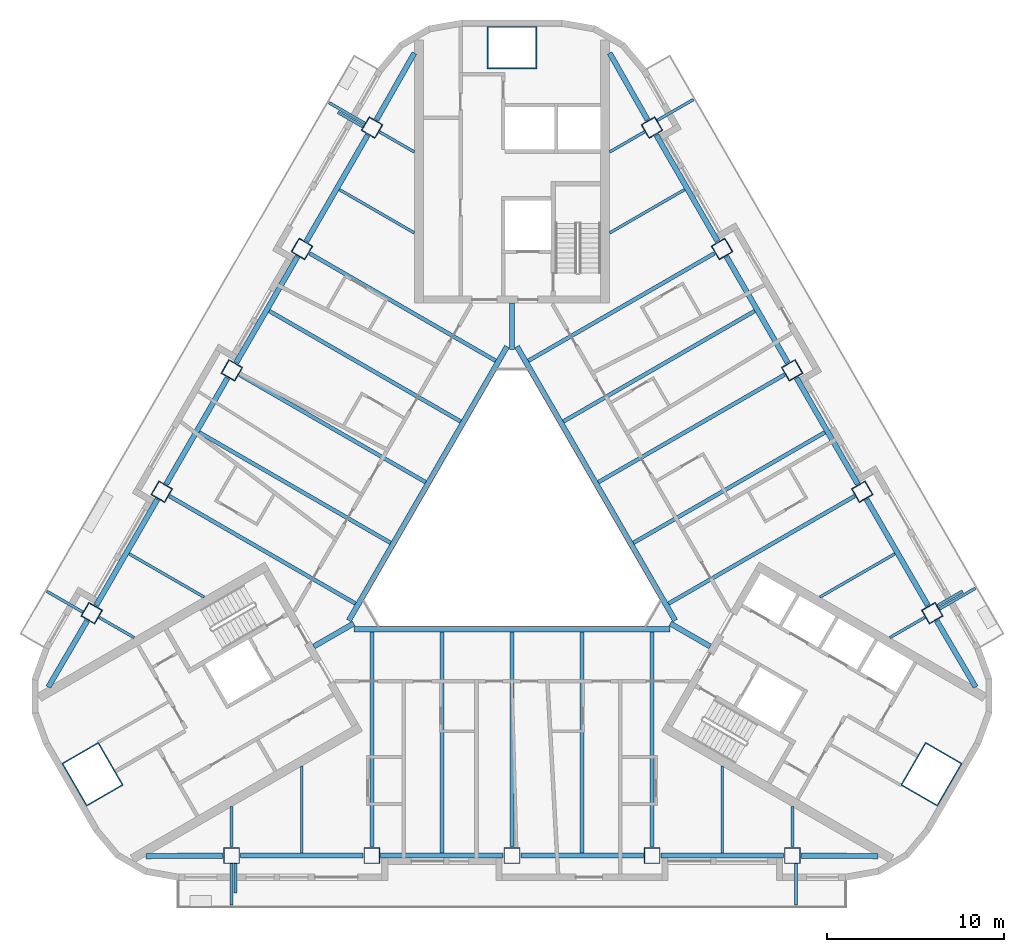
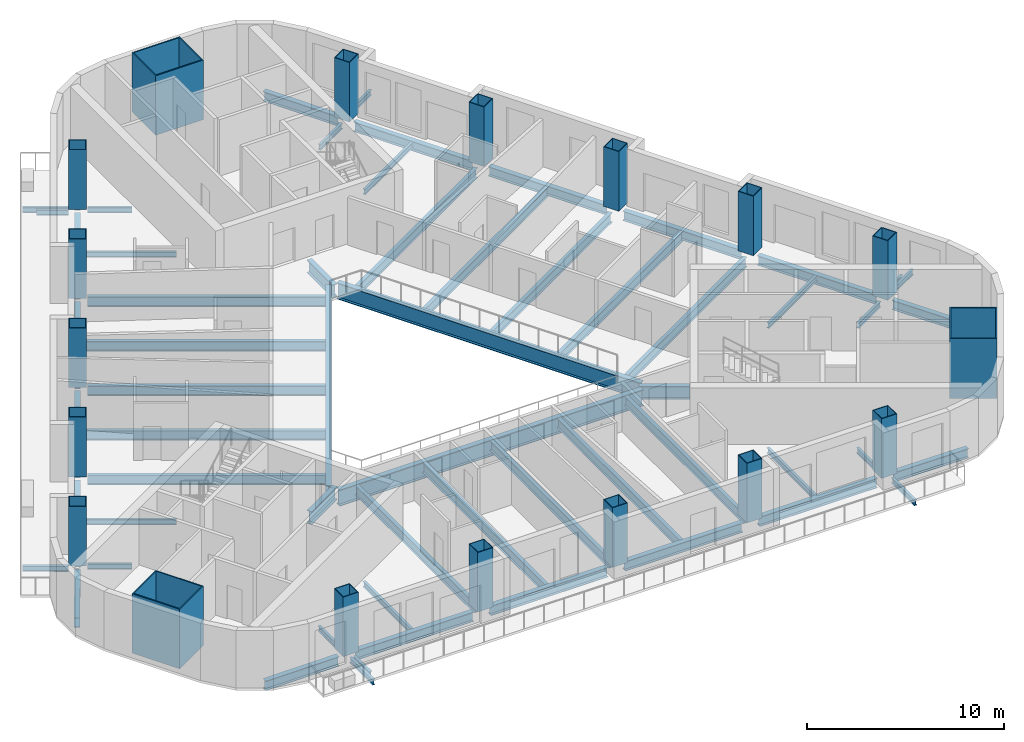
# One storey, part 1 of 14: 60 beams, 18 columns.
"""IFC4 building model written with IfcOpenShell, lengths in metres."""

import ifcopenshell
import ifcopenshell.guid

model = None  # the IFC model being written
_history = None  # IfcOwnerHistory: only IFC2X3 demands one
_inside = {}  # id of a spatial element -> (the spatial element, [elements in it])
_under = {}  # id of a project, library or spatial element -> (it, [spatial elements below it])
_declared = {}  # id of a project -> (the project, [libraries it declares])
_typed = {}  # id of a type object -> (the type object, [elements of that type])
_made_of = {}  # id of a material, layer set ... -> (it, [elements and type objects made of it])


def new_model(schema):
    """Start an empty IFC model of exactly this schema.

    Asked for "IFC4X3", IfcOpenShell would pick the latest addendum, in which some entities
    have other attributes; the version numbers below select the first issue.
    IFC2X3 requires an IfcOwnerHistory on every rooted entity: one is made here for all.
    """
    global model, _history
    if schema == "IFC4X3":
        model = ifcopenshell.file(schema_version=(4, 3, 0, 0))
    else:
        model = ifcopenshell.file(schema=schema)
    _inside.clear()
    _under.clear()
    _declared.clear()
    _typed.clear()
    _made_of.clear()
    _history = None
    if model.schema == "IFC2X3":
        org = make("IfcOrganization", Name="unknown")
        user = make(
            "IfcPersonAndOrganization",
            ThePerson=make("IfcPerson", FamilyName="unknown"),
            TheOrganization=org,
        )
        app = make(
            "IfcApplication",
            ApplicationDeveloper=org,
            Version="unknown",
            ApplicationFullName="unknown",
            ApplicationIdentifier="unknown",
        )
        _history = make(
            "IfcOwnerHistory",
            OwningUser=user,
            OwningApplication=app,
            ChangeAction="ADDED",
            CreationDate=0,
        )
    return model


def make(cls, **values):
    """One entity of the class cls with the attributes given. An attribute that is None is left unset."""
    return model.create_entity(
        cls, **{name: value for name, value in values.items() if value is not None}
    )


def rooted(cls, **values):
    """An entity with a GlobalId (a new one), such as an element, a storey or a relation."""
    return make(cls, GlobalId=ifcopenshell.guid.new(), OwnerHistory=_history, **values)


def si_unit(unit_type, name, prefix=None):
    """IfcSIUnit, for example si_unit("LENGTHUNIT", "METRE", prefix="MILLI")."""
    return make("IfcSIUnit", UnitType=unit_type, Prefix=prefix, Name=name)


def assignment(units):
    """IfcUnitAssignment: the units of a project."""
    return None if units is None else make("IfcUnitAssignment", Units=units)


def point(xyz):
    """IfcCartesianPoint."""
    return None if xyz is None else make("IfcCartesianPoint", Coordinates=xyz)


def direction(xyz):
    """IfcDirection."""
    return None if xyz is None else make("IfcDirection", DirectionRatios=xyz)


def frame(location, z_axis=None, x_axis=None):
    """IfcAxis2Placement3D, a coordinate frame: its origin and axes. An axis left out is left unset."""
    return make(
        "IfcAxis2Placement3D",
        Location=point(location),
        Axis=direction(z_axis),
        RefDirection=direction(x_axis),
    )


def frame_2d(location, x_axis=None):
    """IfcAxis2Placement2D, a coordinate frame in the plane: its origin and x axis."""
    return make(
        "IfcAxis2Placement2D", Location=point(location), RefDirection=direction(x_axis)
    )


def origin():
    """The frame at (0, 0, 0) with its axes left unset."""
    return frame((0.0, 0.0, 0.0))


def origin_2d():
    """The frame at (0, 0) in the plane with its x axis left unset."""
    return frame_2d((0.0, 0.0))


def place(relative_to, where):
    """IfcLocalPlacement: puts the frame where relative to a parent placement (None: the world)."""
    return make(
        "IfcLocalPlacement", PlacementRelTo=relative_to, RelativePlacement=where
    )


def context(
    kind, dimensions, precision=None, world=None, true_north=None, identifier=None
):
    """IfcGeometricRepresentationContext, for example the 3D "Model" context."""
    return make(
        "IfcGeometricRepresentationContext",
        ContextIdentifier=identifier,
        ContextType=kind,
        CoordinateSpaceDimension=dimensions,
        Precision=precision,
        WorldCoordinateSystem=world,
        TrueNorth=true_north,
    )


def subcontext(parent, identifier, kind, view, scale=None):
    """IfcGeometricRepresentationSubContext, for example "Body" below "Model"."""
    return make(
        "IfcGeometricRepresentationSubContext",
        ContextIdentifier=identifier,
        ContextType=kind,
        ParentContext=parent,
        TargetScale=scale,
        TargetView=view,
    )


def project(units=None, contexts=None):
    """IfcProject with its units and contexts."""
    return rooted(
        "IfcProject",
        Name="project",
        RepresentationContexts=contexts,
        UnitsInContext=assignment(units),
    )


def spatial(cls, under=None, at=None, **own):
    """A site, building, storey or space (cls), placed at a placement, below another one or the project."""
    s = rooted(cls, ObjectPlacement=at, **own)
    if under is not None:
        _under.setdefault(under.id(), (under, []))[1].append(s)
    return s


def profile(cls, at=None, kind="AREA", **sizes):
    """A parametric profile (cls). Its sizes go by their IFC names, for example OverallWidth=200.0."""
    return make(cls, ProfileType=kind, Position=at, **sizes)


def rectangle(**sizes):
    """IfcRectangleProfileDef."""
    return profile("IfcRectangleProfileDef", **sizes)


def hollow_rectangle(**sizes):
    """IfcRectangleHollowProfileDef."""
    return profile("IfcRectangleHollowProfileDef", **sizes)


def i_section(**sizes):
    """IfcIShapeProfileDef."""
    return profile("IfcIShapeProfileDef", **sizes)


def extrude(swept, where, along, depth):
    """IfcExtrudedAreaSolid: the profile swept, set in the frame where, extruded along a direction by depth."""
    return make(
        "IfcExtrudedAreaSolid",
        SweptArea=swept,
        Position=where,
        ExtrudedDirection=direction(along),
        Depth=depth,
    )


def shape(context_of_items, identifier, shape_type, items):
    """IfcShapeRepresentation: the items that make up one representation, for example the "Body"."""
    return make(
        "IfcShapeRepresentation",
        ContextOfItems=context_of_items,
        RepresentationIdentifier=identifier,
        RepresentationType=shape_type,
        Items=items,
    )


def material(Name=None, Category=None):
    """IfcMaterial."""
    return make("IfcMaterial", Name=Name, Category=Category)


def material_profile(
    of_material, cross_section, Name=None, Category=None, Priority=None
):
    """IfcMaterialProfile: a cross section and its material."""
    return make(
        "IfcMaterialProfile",
        Name=Name,
        Material=of_material,
        Profile=cross_section,
        Priority=Priority,
        Category=Category,
    )


def profile_set(profiles, Name=None, composite=None):
    """IfcMaterialProfileSet."""
    return make(
        "IfcMaterialProfileSet",
        Name=Name,
        MaterialProfiles=profiles,
        CompositeProfile=composite,
    )


def made_of(thing, what):
    """Note that an element or type object is made of a material, layer set ...; save() writes the relation."""
    if what is not None:
        _made_of.setdefault(what.id(), (what, []))[1].append(thing)
    return thing


def type_object(cls, material=None, **own):
    """A type object (cls), such as IfcWallType, which elements share."""
    return made_of(rooted(cls, **own), material)


def element(
    cls,
    number,
    at=None,
    inside=None,
    cuts=None,
    type_object=None,
    material=None,
    context=None,
    identifier="Body",
    shape_type=None,
    held_by="IfcProductDefinitionShape",
    body=None,
    shapes=None,
    **own,
):
    """One element of the class cls, such as IfcWall. Its Tag is "e" and its number.

    at: its placement. inside: the storey or other place that contains it. cuts: it is an
    opening in that element (IfcRelVoidsElement). A single representation is given by context,
    identifier, shape_type and body (its items); several are given by shapes. held_by: the class
    of the entity that holds the representations. save() writes the other relations.
    """
    e = rooted(cls, Tag="e%d" % number, ObjectPlacement=at, **own)
    if body is not None:
        shapes = [shape(context, identifier, shape_type, body)]
    if shapes is not None:
        e.Representation = make(held_by, Representations=shapes)
    if inside is not None:
        _inside.setdefault(inside.id(), (inside, []))[1].append(e)
    if cuts is not None:
        rooted(
            "IfcRelVoidsElement", RelatingBuildingElement=cuts, RelatedOpeningElement=e
        )
    if type_object is not None:
        _typed.setdefault(type_object.id(), (type_object, []))[1].append(e)
    return made_of(e, material)


def aggregate(whole, parts):
    """IfcRelAggregates: a whole, such as a stair, and the parts it consists of."""
    return rooted("IfcRelAggregates", RelatingObject=whole, RelatedObjects=parts)


def save(model, path):
    """Write the relations noted so far, then the file.

    IfcRelAggregates (storeys below a building ...), IfcRelContainedInSpatialStructure (elements
    in a storey), IfcRelDefinesByType, IfcRelAssociatesMaterial and IfcRelDeclares: one each for
    every whole, place, type object, material and project.
    """
    for whole, parts in _under.values():
        aggregate(whole, parts)
    for where, things in _inside.values():
        rooted(
            "IfcRelContainedInSpatialStructure",
            RelatedElements=things,
            RelatingStructure=where,
        )
    for kind, things in _typed.values():
        rooted("IfcRelDefinesByType", RelatedObjects=things, RelatingType=kind)
    for what, things in _made_of.values():
        rooted("IfcRelAssociatesMaterial", RelatedObjects=things, RelatingMaterial=what)
    for by, libraries in _declared.values():
        rooted("IfcRelDeclares", RelatingContext=by, RelatedDefinitions=libraries)
    model.write(path)


model = new_model("IFC4")

# Units and contexts
model_context = context("Model", 3, precision=1e-05, world=origin(), true_north=direction((0.0, 1.0)))
body_context = subcontext(model_context, "Body", "Model", "MODEL_VIEW")
ifc_project = project(units=[si_unit("LENGTHUNIT", "METRE"), si_unit("AREAUNIT", "SQUARE_METRE"), si_unit("VOLUMEUNIT", "CUBIC_METRE"), si_unit("PLANEANGLEUNIT", "RADIAN"), si_unit("MASSUNIT", "GRAM", prefix="KILO")], contexts=[model_context])

# Site, building, storey
site_placement = place(None, origin())
site = spatial("IfcSite", under=ifc_project, at=site_placement, CompositionType="ELEMENT")
building_placement = place(site_placement, origin())
building = spatial("IfcBuilding", under=site, at=building_placement, Name="Apuvela Tower Hotel", CompositionType="ELEMENT")
storey_placement = place(building_placement, frame((0.0, 0.0, 87.199951171875)))
storey = spatial("IfcBuildingStorey", under=building, at=storey_placement, Name="L19", CompositionType="ELEMENT", Elevation=87.199951171875)

# Columns
ifc_material_1 = material(Name="Steel S460", Category="steel")
ifc_material_profile_1 = material_profile(ifc_material_1, hollow_rectangle(XDim=2.800048828125, YDim=2.39990234375, WallThickness=0.070068359375, at=origin_2d()), Name="BOX 2800x2400x70")
ifc_material_2 = material(Name="Concrete C80/95", Category="concrete")
ifc_material_profile_2 = material_profile(ifc_material_2, rectangle(XDim=2.659912109375, YDim=2.260009765625, at=origin_2d()), Name="Concrete C80/95 infill")
ifc_profile_set_1 = profile_set([ifc_material_profile_1, ifc_material_profile_2], Name="Steel S460")
column_type_1 = type_object("IfcColumnType", Name="STR-MC mega column BOX 2800x2400x70", PredefinedType="COLUMN", material=ifc_profile_set_1)
for number, where, z_axis, x_axis, name in (
    (1, (0.0, 27.300048828125, 0.0), (0.0, 0.0, 1.0), (1.0, 0.0, 0.0), "Mega column MC2 N"),
    (2, (-23.642578125, -13.64990234375, 0.0), (0.0, 0.0, 1.0), (-0.5, 0.866025403784, 0.0), "Mega column MC2 SW"),
    (3, (23.642578125, -13.64990234375, 0.0), (0.0, 0.0, 1.0), (0.5, 0.866025403784, 0.0), "Mega column MC2 SE"),
):
    element("IfcColumn", number, at=place(storey_placement, frame(where, z_axis=z_axis, x_axis=x_axis)), inside=storey, type_object=column_type_1, Name=name, PredefinedType="COLUMN", context=body_context, shape_type="SweptSolid", body=[
        extrude(hollow_rectangle(XDim=2.800048828125, YDim=2.39990234375, WallThickness=0.070068359375, at=origin_2d()), origin(), (0.0, 0.0, 1.0), 3.699951171875),
    ])
ifc_material_profile_3 = material_profile(ifc_material_1, hollow_rectangle(XDim=0.89990234375, YDim=0.89990234375, WallThickness=0.0400390625, at=origin_2d()), Name="BOX 900x900x40")
ifc_material_profile_4 = material_profile(ifc_material_2, rectangle(XDim=0.820068359375, YDim=0.820068359375, at=origin_2d()), Name="Concrete C80/95 infill")
ifc_profile_set_2 = profile_set([ifc_material_profile_3, ifc_material_profile_4], Name="Steel S460")
column_type_2 = type_object("IfcColumnType", Name="STR-PC perimeter column BOX 900x900x40", PredefinedType="COLUMN", material=ifc_profile_set_2)
for number, where, z_axis, x_axis, name in (
    (4, (-15.800048828125, -18.22998046875, 0.0), (0.0, 0.0, 1.0), (-1.0, 0.0, 0.0), "Perimeter column C3 S1"),
    (5, (-7.89990234375, -18.22998046875, 0.0), (0.0, 0.0, 1.0), (-1.0, 0.0, 0.0), "Perimeter column C3 S2"),
    (6, (0.0, -18.22998046875, 0.0), (0.0, 0.0, 1.0), (-1.0, 0.0, 0.0), "Perimeter column C3 S3"),
    (7, (7.89990234375, -18.22998046875, 0.0), (0.0, 0.0, 1.0), (-1.0, 0.0, 0.0), "Perimeter column C3 S4"),
    (8, (15.800048828125, -18.22998046875, 0.0), (0.0, 0.0, 1.0), (-1.0, 0.0, 0.0), "Perimeter column C3 S5"),
    (9, (23.6875, -4.568115234375, 0.0), (0.0, 0.0, 1.0), (-0.5, 0.866025403784, 0.0), "Perimeter column C3 NE1"),
    (10, (19.737548828125, 2.2734375, 0.0), (0.0, 0.0, 1.0), (-0.5, 0.866025403784, 0.0), "Perimeter column C3 NE2"),
    (11, (15.78759765625, 9.114990234375, 0.0), (0.0, 0.0, 1.0), (-0.5, 0.866025403784, 0.0), "Perimeter column C3 NE3"),
    (12, (11.837646484375, 15.95654296875, 0.0), (0.0, 0.0, 1.0), (-0.5, 0.866025403784, 0.0), "Perimeter column C3 NE4"),
    (13, (7.8876953125, 22.798095703125, 0.0), (0.0, 0.0, 1.0), (-0.5, 0.866025403784, 0.0), "Perimeter column C3 NE5"),
    (14, (-7.8876953125, 22.798095703125, 0.0), (0.0, 0.0, 1.0), (0.5, 0.866025403784, 0.0), "Perimeter column C3 NW1"),
    (15, (-11.837646484375, 15.95654296875, 0.0), (0.0, 0.0, 1.0), (0.5, 0.866025403784, 0.0), "Perimeter column C3 NW2"),
    (16, (-15.78759765625, 9.114990234375, 0.0), (0.0, 0.0, 1.0), (0.5, 0.866025403784, 0.0), "Perimeter column C3 NW3"),
    (17, (-19.737548828125, 2.2734375, 0.0), (0.0, 0.0, 1.0), (0.5, 0.866025403784, 0.0), "Perimeter column C3 NW4"),
    (18, (-23.6875, -4.568115234375, 0.0), (0.0, 0.0, 1.0), (0.5, 0.866025403784, 0.0), "Perimeter column C3 NW5"),
):
    element("IfcColumn", number, at=place(storey_placement, frame(where, z_axis=z_axis, x_axis=x_axis)), inside=storey, type_object=column_type_2, Name=name, PredefinedType="COLUMN", context=body_context, shape_type="SweptSolid", body=[
        extrude(hollow_rectangle(XDim=0.89990234375, YDim=0.89990234375, WallThickness=0.0400390625, at=origin_2d()), origin(), (0.0, 0.0, 1.0), 3.699951171875),
    ])

# Beams
ifc_material_3 = material(Name="Steel S355", Category="steel")
ifc_material_profile_5 = material_profile(ifc_material_3, i_section(OverallWidth=0.159912109375, OverallDepth=0.330078125, WebThickness=0.007568359375, FlangeThickness=0.011474609375, at=origin_2d()), Name="IPE 330")
ifc_profile_set_3 = profile_set([ifc_material_profile_5], Name="Steel S355")
beam_type_1 = type_object("IfcBeamType", Name="ENV-BALCONY-BEAM-IPE330", PredefinedType="BEAM", material=ifc_profile_set_3)
beam_1_placement = place(storey_placement, frame((-15.800048828125, -18.679931640625, -0.31494140625), z_axis=(0.0, -1.0, 0.0), x_axis=(1.0, 0.0, 0.0)))
element("IfcBeam", 19, at=beam_1_placement, inside=storey, type_object=beam_type_1, Name="Balcony cantilever beam S1 L19", PredefinedType="BEAM", context=body_context, shape_type="SweptSolid", body=[
    extrude(i_section(OverallWidth=0.159912109375, OverallDepth=0.330078125, WebThickness=0.007568359375, FlangeThickness=0.011474609375, at=origin_2d()), origin(), (0.0, 0.0, 1.0), 2.35009765625),
])
beam_2_placement = place(storey_placement, frame((-15.580078125, -18.679931640625, -0.31494140625), z_axis=(0.0, -1.0, 0.0), x_axis=(1.0, 0.0, 0.0)))
element("IfcBeam", 20, at=beam_2_placement, inside=storey, type_object=beam_type_1, Name="Balcony cantilever beam S2 L19", PredefinedType="BEAM", context=body_context, shape_type="SweptSolid", body=[
    extrude(i_section(OverallWidth=0.159912109375, OverallDepth=0.330078125, WebThickness=0.007568359375, FlangeThickness=0.011474609375, at=origin_2d()), origin(), (0.0, 0.0, 1.0), 1.650146484375),
])
for number, where, z_axis, x_axis, name in (
    (21, (16.0, -18.679931640625, -0.31494140625), (0.0, -1.0, 0.0), (1.0, 0.0, 0.0), "Balcony cantilever beam S3 L19"),
    (22, (24.077392578125, -4.34326171875, -0.31494140625), (0.866016039709, 0.500016218704, 0.0), (-0.500016218704, 0.866016039709, 0.0), "Balcony cantilever beam NE1 L19"),
):
    element("IfcBeam", number, at=place(storey_placement, frame(where, z_axis=z_axis, x_axis=x_axis)), inside=storey, type_object=beam_type_1, Name=name, PredefinedType="BEAM", context=body_context, shape_type="SweptSolid", body=[
        extrude(i_section(OverallWidth=0.159912109375, OverallDepth=0.330078125, WebThickness=0.007568359375, FlangeThickness=0.011474609375, at=origin_2d()), origin(), (0.0, 0.0, 1.0), 2.35009765625),
    ])
beam_3_placement = place(storey_placement, frame((23.96728515625, -4.152587890625, -0.31494140625), z_axis=(0.866040211805, 0.499974350878, 0.0), x_axis=(-0.499974350878, 0.866040211805, 0.0)))
element("IfcBeam", 23, at=beam_3_placement, inside=storey, type_object=beam_type_1, Name="Balcony cantilever beam NE2 L19", PredefinedType="BEAM", context=body_context, shape_type="SweptSolid", body=[
    extrude(i_section(OverallWidth=0.159912109375, OverallDepth=0.330078125, WebThickness=0.007568359375, FlangeThickness=0.011474609375, at=origin_2d()), origin(), (0.0, 0.0, 1.0), 1.64990234375),
])
beam_4_placement = place(storey_placement, frame((8.177490234375, 23.1962890625, -0.31494140625), z_axis=(0.865990062348, 0.500061208168, 0.0), x_axis=(-0.500061208168, 0.865990062348, 0.0)))
element("IfcBeam", 24, at=beam_4_placement, inside=storey, type_object=beam_type_1, Name="Balcony cantilever beam NE3 L19", PredefinedType="BEAM", context=body_context, shape_type="SweptSolid", body=[
    extrude(i_section(OverallWidth=0.159912109375, OverallDepth=0.330078125, WebThickness=0.007568359375, FlangeThickness=0.011474609375, at=origin_2d()), origin(), (0.0, 0.0, 1.0), 2.349853515625),
])
beam_5_placement = place(storey_placement, frame((-8.27734375, 23.023193359375, -0.31494140625), z_axis=(-0.866016039709, 0.500016218704, 0.0), x_axis=(-0.500016218704, -0.866016039709, 0.0)))
element("IfcBeam", 25, at=beam_5_placement, inside=storey, type_object=beam_type_1, Name="Balcony cantilever beam NW1 L19", PredefinedType="BEAM", context=body_context, shape_type="SweptSolid", body=[
    extrude(i_section(OverallWidth=0.159912109375, OverallDepth=0.330078125, WebThickness=0.007568359375, FlangeThickness=0.011474609375, at=origin_2d()), origin(), (0.0, 0.0, 1.0), 2.35009765625),
])
beam_6_placement = place(storey_placement, frame((-8.387451171875, 22.832763671875, -0.31494140625), z_axis=(-0.866040211805, 0.499974350878, 0.0), x_axis=(-0.499974350878, -0.866040211805, 0.0)))
element("IfcBeam", 26, at=beam_6_placement, inside=storey, type_object=beam_type_1, Name="Balcony cantilever beam NW2 L19", PredefinedType="BEAM", context=body_context, shape_type="SweptSolid", body=[
    extrude(i_section(OverallWidth=0.159912109375, OverallDepth=0.330078125, WebThickness=0.007568359375, FlangeThickness=0.011474609375, at=origin_2d()), origin(), (0.0, 0.0, 1.0), 1.64990234375),
])
beam_7_placement = place(storey_placement, frame((-24.177490234375, -4.516357421875, -0.31494140625), z_axis=(-0.865990062348, 0.500061208168, 0.0), x_axis=(-0.500061208168, -0.865990062348, 0.0)))
element("IfcBeam", 27, at=beam_7_placement, inside=storey, type_object=beam_type_1, Name="Balcony cantilever beam NW3 L19", PredefinedType="BEAM", context=body_context, shape_type="SweptSolid", body=[
    extrude(i_section(OverallWidth=0.159912109375, OverallDepth=0.330078125, WebThickness=0.007568359375, FlangeThickness=0.011474609375, at=origin_2d()), origin(), (0.0, 0.0, 1.0), 2.349853515625),
])
ifc_material_profile_6 = material_profile(ifc_material_3, i_section(OverallWidth=0.159912109375, OverallDepth=0.330078125, WebThickness=0.007568359375, FlangeThickness=0.011474609375, at=origin_2d()), Name="IPE 330")
ifc_profile_set_4 = profile_set([ifc_material_profile_6], Name="Steel S355")
beam_type_2 = type_object("IfcBeamType", Name="STR-B floor beam IPE 330", PredefinedType="BEAM", material=ifc_profile_set_4)
beam_8_placement = place(storey_placement, frame((23.254638671875, -4.818115234375, -0.31494140625), z_axis=(-0.865991034588, -0.500059524469, 0.0), x_axis=(0.500059524469, -0.865991034588, 0.0)))
element("IfcBeam", 28, at=beam_8_placement, inside=storey, type_object=beam_type_2, Name="Floor beam B1 NE1", PredefinedType="BEAM", context=body_context, shape_type="SweptSolid", body=[
    extrude(i_section(OverallWidth=0.159912109375, OverallDepth=0.330078125, WebThickness=0.007568359375, FlangeThickness=0.011474609375, at=origin_2d()), origin(), (0.0, 0.0, 1.0), 2.257080078125),
])
for number, where, z_axis, x_axis, name in (
    (29, (21.582763671875, -1.222412109375, -0.31494140625), (-0.866015056278, -0.500017921979, 0.0), (0.500017921979, -0.866015056278, 0.0), "Floor beam B1 NE2"),
    (30, (9.732666015625, 19.302490234375, -0.31494140625), (-0.866015056278, -0.500017921979, 0.0), (0.500017921979, -0.866015056278, 0.0), "Floor beam B1 NE8"),
):
    element("IfcBeam", number, at=place(storey_placement, frame(where, z_axis=z_axis, x_axis=x_axis)), inside=storey, type_object=beam_type_2, Name=name, PredefinedType="BEAM", context=body_context, shape_type="SweptSolid", body=[
        extrude(i_section(OverallWidth=0.159912109375, OverallDepth=0.330078125, WebThickness=0.007568359375, FlangeThickness=0.011474609375, at=origin_2d()), origin(), (0.0, 0.0, 1.0), 4.887451171875),
    ])
for number, where, z_axis, x_axis, name in (
    (31, (7.45458984375, 22.548095703125, -0.31494140625), (-0.86603787505, -0.499978398512, 0.0), (0.499978398512, -0.86603787505, 0.0), "Floor beam B1 NE9"),
    (32, (-7.45458984375, 22.548095703125, -0.31494140625), (0.86603787505, -0.499978398512, 0.0), (0.499978398512, 0.86603787505, 0.0), "Floor beam B1 NW1"),
):
    element("IfcBeam", number, at=place(storey_placement, frame(where, z_axis=z_axis, x_axis=x_axis)), inside=storey, type_object=beam_type_2, Name=name, PredefinedType="BEAM", context=body_context, shape_type="SweptSolid", body=[
        extrude(i_section(OverallWidth=0.159912109375, OverallDepth=0.330078125, WebThickness=0.007568359375, FlangeThickness=0.011474609375, at=origin_2d()), origin(), (0.0, 0.0, 1.0), 2.2568359375),
    ])
for number, where, z_axis, x_axis, name in (
    (33, (-9.732666015625, 19.302490234375, -0.31494140625), (0.866015056278, -0.500017921979, 0.0), (0.500017921979, 0.866015056278, 0.0), "Floor beam B1 NW2"),
    (34, (-21.582763671875, -1.222412109375, -0.31494140625), (0.866015056278, -0.500017921979, 0.0), (0.500017921979, 0.866015056278, 0.0), "Floor beam B1 NW8"),
):
    element("IfcBeam", number, at=place(storey_placement, frame(where, z_axis=z_axis, x_axis=x_axis)), inside=storey, type_object=beam_type_2, Name=name, PredefinedType="BEAM", context=body_context, shape_type="SweptSolid", body=[
        extrude(i_section(OverallWidth=0.159912109375, OverallDepth=0.330078125, WebThickness=0.007568359375, FlangeThickness=0.011474609375, at=origin_2d()), origin(), (0.0, 0.0, 1.0), 4.887451171875),
    ])
for number, where, z_axis, x_axis, name in (
    (35, (-23.254638671875, -4.818115234375, -0.31494140625), (0.865991034588, -0.500059524469, 0.0), (0.500059524469, 0.865991034588, 0.0), "Floor beam B1 NW9"),
    (36, (-15.800048828125, -17.72998046875, -0.31494140625), (0.0, 1.0, 0.0), (-1.0, 0.0, 0.0), "Floor beam B1 S1"),
):
    element("IfcBeam", number, at=place(storey_placement, frame(where, z_axis=z_axis, x_axis=x_axis)), inside=storey, type_object=beam_type_2, Name=name, PredefinedType="BEAM", context=body_context, shape_type="SweptSolid", body=[
        extrude(i_section(OverallWidth=0.159912109375, OverallDepth=0.330078125, WebThickness=0.007568359375, FlangeThickness=0.011474609375, at=origin_2d()), origin(), (0.0, 0.0, 1.0), 2.257080078125),
    ])
for number, where, z_axis, x_axis, name in (
    (37, (-11.85009765625, -18.080078125, -0.31494140625), (0.0, 1.0, 0.0), (-1.0, 0.0, 0.0), "Floor beam B1 S2"),
    (38, (11.85009765625, -18.080078125, -0.31494140625), (0.0, 1.0, 0.0), (-1.0, 0.0, 0.0), "Floor beam B1 S8"),
):
    element("IfcBeam", number, at=place(storey_placement, frame(where, z_axis=z_axis, x_axis=x_axis)), inside=storey, type_object=beam_type_2, Name=name, PredefinedType="BEAM", context=body_context, shape_type="SweptSolid", body=[
        extrude(i_section(OverallWidth=0.159912109375, OverallDepth=0.330078125, WebThickness=0.007568359375, FlangeThickness=0.011474609375, at=origin_2d()), origin(), (0.0, 0.0, 1.0), 4.8876953125),
    ])
beam_9_placement = place(storey_placement, frame((15.800048828125, -17.72998046875, -0.31494140625), z_axis=(0.0, 1.0, 0.0), x_axis=(-1.0, 0.0, 0.0)))
element("IfcBeam", 39, at=beam_9_placement, inside=storey, type_object=beam_type_2, Name="Floor beam B1 S9", PredefinedType="BEAM", context=body_context, shape_type="SweptSolid", body=[
    extrude(i_section(OverallWidth=0.159912109375, OverallDepth=0.330078125, WebThickness=0.007568359375, FlangeThickness=0.011474609375, at=origin_2d()), origin(), (0.0, 0.0, 1.0), 2.257080078125),
])
ifc_material_profile_7 = material_profile(ifc_material_3, i_section(OverallWidth=0.219970703125, OverallDepth=0.60009765625, WebThickness=0.011962890625, FlangeThickness=0.01904296875, at=origin_2d()), Name="IPE 600")
ifc_profile_set_5 = profile_set([ifc_material_profile_7], Name="Steel S355")
beam_type_3 = type_object("IfcBeamType", Name="STR-B floor beam IPE 600", PredefinedType="BEAM", material=ifc_profile_set_5)
beam_10_placement = place(storey_placement, frame((19.3046875, 2.0234375, -0.449951171875), z_axis=(-0.866027098151, -0.499997065259, 0.0), x_axis=(0.499997065259, -0.866027098151, 0.0)))
element("IfcBeam", 40, at=beam_10_placement, inside=storey, type_object=beam_type_3, Name="Floor beam B8 NE3", PredefinedType="BEAM", context=body_context, shape_type="SweptSolid", body=[
    extrude(i_section(OverallWidth=0.219970703125, OverallDepth=0.60009765625, WebThickness=0.011962890625, FlangeThickness=0.01904296875, at=origin_2d()), origin(), (0.0, 0.0, 1.0), 12.10791015625),
])
beam_11_placement = place(storey_placement, frame((17.6328125, 5.619140625, -0.449951171875), z_axis=(-0.866027636335, -0.499996133089, 0.0), x_axis=(0.499996133089, -0.866027636335, 0.0)))
element("IfcBeam", 41, at=beam_11_placement, inside=storey, type_object=beam_type_3, Name="Floor beam B8 NE4", PredefinedType="BEAM", context=body_context, shape_type="SweptSolid", body=[
    extrude(i_section(OverallWidth=0.219970703125, OverallDepth=0.60009765625, WebThickness=0.011962890625, FlangeThickness=0.01904296875, at=origin_2d()), origin(), (0.0, 0.0, 1.0), 12.4580078125),
])
beam_12_placement = place(storey_placement, frame((15.3544921875, 8.864990234375, -0.449951171875), z_axis=(-0.866022057176, -0.500005796451, 0.0), x_axis=(0.500005796451, -0.866022057176, 0.0)))
element("IfcBeam", 42, at=beam_12_placement, inside=storey, type_object=beam_type_3, Name="Floor beam B8 NE5", PredefinedType="BEAM", context=body_context, shape_type="SweptSolid", body=[
    extrude(i_section(OverallWidth=0.219970703125, OverallDepth=0.60009765625, WebThickness=0.011962890625, FlangeThickness=0.01904296875, at=origin_2d()), origin(), (0.0, 0.0, 1.0), 12.107666015625),
])
beam_13_placement = place(storey_placement, frame((13.6826171875, 12.460693359375, -0.449951171875), z_axis=(-0.866022737053, -0.500004618886, 0.0), x_axis=(0.500004618886, -0.866022737053, 0.0)))
element("IfcBeam", 43, at=beam_13_placement, inside=storey, type_object=beam_type_3, Name="Floor beam B8 NE6", PredefinedType="BEAM", context=body_context, shape_type="SweptSolid", body=[
    extrude(i_section(OverallWidth=0.219970703125, OverallDepth=0.60009765625, WebThickness=0.011962890625, FlangeThickness=0.01904296875, at=origin_2d()), origin(), (0.0, 0.0, 1.0), 12.4580078125),
])
for number, where, z_axis, x_axis, name in (
    (44, (11.404541015625, 15.70654296875, -0.449951171875), (-0.866027098151, -0.499997065259, 0.0), (0.499997065259, -0.866027098151, 0.0), "Floor beam B8 NE7"),
    (45, (-11.404541015625, 15.70654296875, -0.449951171875), (0.866027098151, -0.499997065259, 0.0), (0.499997065259, 0.866027098151, 0.0), "Floor beam B8 NW3"),
):
    element("IfcBeam", number, at=place(storey_placement, frame(where, z_axis=z_axis, x_axis=x_axis)), inside=storey, type_object=beam_type_3, Name=name, PredefinedType="BEAM", context=body_context, shape_type="SweptSolid", body=[
        extrude(i_section(OverallWidth=0.219970703125, OverallDepth=0.60009765625, WebThickness=0.011962890625, FlangeThickness=0.01904296875, at=origin_2d()), origin(), (0.0, 0.0, 1.0), 12.10791015625),
    ])
beam_14_placement = place(storey_placement, frame((-13.6826171875, 12.460693359375, -0.449951171875), z_axis=(0.866022737053, -0.500004618886, 0.0), x_axis=(0.500004618886, 0.866022737053, 0.0)))
element("IfcBeam", 46, at=beam_14_placement, inside=storey, type_object=beam_type_3, Name="Floor beam B8 NW4", PredefinedType="BEAM", context=body_context, shape_type="SweptSolid", body=[
    extrude(i_section(OverallWidth=0.219970703125, OverallDepth=0.60009765625, WebThickness=0.011962890625, FlangeThickness=0.01904296875, at=origin_2d()), origin(), (0.0, 0.0, 1.0), 12.4580078125),
])
beam_15_placement = place(storey_placement, frame((-15.3544921875, 8.864990234375, -0.449951171875), z_axis=(0.866022057176, -0.500005796451, 0.0), x_axis=(0.500005796451, 0.866022057176, 0.0)))
element("IfcBeam", 47, at=beam_15_placement, inside=storey, type_object=beam_type_3, Name="Floor beam B8 NW5", PredefinedType="BEAM", context=body_context, shape_type="SweptSolid", body=[
    extrude(i_section(OverallWidth=0.219970703125, OverallDepth=0.60009765625, WebThickness=0.011962890625, FlangeThickness=0.01904296875, at=origin_2d()), origin(), (0.0, 0.0, 1.0), 12.107666015625),
])
beam_16_placement = place(storey_placement, frame((-17.6328125, 5.619140625, -0.449951171875), z_axis=(0.866027636335, -0.499996133089, 0.0), x_axis=(0.499996133089, 0.866027636335, 0.0)))
element("IfcBeam", 48, at=beam_16_placement, inside=storey, type_object=beam_type_3, Name="Floor beam B8 NW6", PredefinedType="BEAM", context=body_context, shape_type="SweptSolid", body=[
    extrude(i_section(OverallWidth=0.219970703125, OverallDepth=0.60009765625, WebThickness=0.011962890625, FlangeThickness=0.01904296875, at=origin_2d()), origin(), (0.0, 0.0, 1.0), 12.4580078125),
])
for number, where, z_axis, x_axis, name in (
    (49, (-19.3046875, 2.0234375, -0.449951171875), (0.866027098151, -0.499997065259, 0.0), (0.499997065259, 0.866027098151, 0.0), "Floor beam B8 NW7"),
    (50, (-7.89990234375, -17.72998046875, -0.449951171875), (0.0, 1.0, 0.0), (-1.0, 0.0, 0.0), "Floor beam B8 S3"),
):
    element("IfcBeam", number, at=place(storey_placement, frame(where, z_axis=z_axis, x_axis=x_axis)), inside=storey, type_object=beam_type_3, Name=name, PredefinedType="BEAM", context=body_context, shape_type="SweptSolid", body=[
        extrude(i_section(OverallWidth=0.219970703125, OverallDepth=0.60009765625, WebThickness=0.011962890625, FlangeThickness=0.01904296875, at=origin_2d()), origin(), (0.0, 0.0, 1.0), 12.10791015625),
    ])
beam_17_placement = place(storey_placement, frame((-3.949951171875, -18.080078125, -0.449951171875), z_axis=(0.0, 1.0, 0.0), x_axis=(-1.0, 0.0, 0.0)))
element("IfcBeam", 51, at=beam_17_placement, inside=storey, type_object=beam_type_3, Name="Floor beam B8 S4", PredefinedType="BEAM", context=body_context, shape_type="SweptSolid", body=[
    extrude(i_section(OverallWidth=0.219970703125, OverallDepth=0.60009765625, WebThickness=0.011962890625, FlangeThickness=0.01904296875, at=origin_2d()), origin(), (0.0, 0.0, 1.0), 12.4580078125),
])
beam_18_placement = place(storey_placement, frame((0.0, -17.72998046875, -0.449951171875), z_axis=(0.0, 1.0, 0.0), x_axis=(-1.0, 0.0, 0.0)))
element("IfcBeam", 52, at=beam_18_placement, inside=storey, type_object=beam_type_3, Name="Floor beam B8 S5", PredefinedType="BEAM", context=body_context, shape_type="SweptSolid", body=[
    extrude(i_section(OverallWidth=0.219970703125, OverallDepth=0.60009765625, WebThickness=0.011962890625, FlangeThickness=0.01904296875, at=origin_2d()), origin(), (0.0, 0.0, 1.0), 12.10791015625),
])
beam_19_placement = place(storey_placement, frame((3.949951171875, -18.080078125, -0.449951171875), z_axis=(0.0, 1.0, 0.0), x_axis=(-1.0, 0.0, 0.0)))
element("IfcBeam", 53, at=beam_19_placement, inside=storey, type_object=beam_type_3, Name="Floor beam B8 S6", PredefinedType="BEAM", context=body_context, shape_type="SweptSolid", body=[
    extrude(i_section(OverallWidth=0.219970703125, OverallDepth=0.60009765625, WebThickness=0.011962890625, FlangeThickness=0.01904296875, at=origin_2d()), origin(), (0.0, 0.0, 1.0), 12.4580078125),
])
beam_20_placement = place(storey_placement, frame((7.89990234375, -17.72998046875, -0.449951171875), z_axis=(0.0, 1.0, 0.0), x_axis=(-1.0, 0.0, 0.0)))
element("IfcBeam", 54, at=beam_20_placement, inside=storey, type_object=beam_type_3, Name="Floor beam B8 S7", PredefinedType="BEAM", context=body_context, shape_type="SweptSolid", body=[
    extrude(i_section(OverallWidth=0.219970703125, OverallDepth=0.60009765625, WebThickness=0.011962890625, FlangeThickness=0.01904296875, at=origin_2d()), origin(), (0.0, 0.0, 1.0), 12.10791015625),
])
ifc_material_profile_8 = material_profile(ifc_material_3, i_section(OverallWidth=0.302001953125, OverallDepth=1.008056640625, WebThickness=0.02099609375, FlangeThickness=0.0400390625, at=origin_2d()), Name="HE 1000 M")
ifc_profile_set_6 = profile_set([ifc_material_profile_8], Name="Steel S355")
beam_type_4 = type_object("IfcBeamType", Name="STR-G atrium ring girder HE 1000 M", PredefinedType="BEAM", material=ifc_profile_set_6)
for number, where, z_axis, x_axis, name in (
    (55, (-0.28076171875, 10.455810546875, -0.654052734375), (-0.500000611842, -0.866025050537, 0.0), (0.866025050537, -0.500000611842, 0.0), "Atrium ring girder G1 N-SW"),
    (56, (-8.91455078125, -5.470947265625, -0.654052734375), (1.0, 0.0, 0.0), (0.0, 1.0, 0.0), "Atrium ring girder G1 SW-SE"),
    (57, (9.1953125, -4.984619140625, -0.654052734375), (-0.500000611842, 0.866025050537, 0.0), (-0.866025050537, -0.500000611842, 0.0), "Atrium ring girder G1 SE-N"),
):
    element("IfcBeam", number, at=place(storey_placement, frame(where, z_axis=z_axis, x_axis=x_axis)), inside=storey, type_object=beam_type_4, Name=name, PredefinedType="BEAM", context=body_context, shape_type="SweptSolid", body=[
        extrude(i_section(OverallWidth=0.302001953125, OverallDepth=1.008056640625, WebThickness=0.02099609375, FlangeThickness=0.0400390625, at=origin_2d()), origin(), (0.0, 0.0, 1.0), 17.8291015625),
    ])
ifc_material_profile_9 = material_profile(ifc_material_3, i_section(OverallWidth=0.300048828125, OverallDepth=0.800048828125, WebThickness=0.017578125, FlangeThickness=0.032958984375, at=origin_2d()), Name="HE 800 B")
ifc_profile_set_7 = profile_set([ifc_material_profile_9], Name="Steel S355")
beam_type_5 = type_object("IfcBeamType", Name="STR-GT core tie beam HE 800 B", PredefinedType="BEAM", material=ifc_profile_set_7)
for number, where, z_axis, x_axis, name in (
    (58, (0.0, 12.89990234375, -0.550048828125), (0.0, -1.0, 0.0), (1.0, 0.0, 0.0), "Core tie beam GT1 N"),
    (59, (-11.171630859375, -6.449951171875, -0.550048828125), (0.865997922154, 0.500047596559, 0.0), (-0.500047596559, 0.865997922154, 0.0), "Core tie beam GT1 SW"),
    (60, (11.171630859375, -6.449951171875, -0.550048828125), (-0.865997922154, 0.500047596559, 0.0), (-0.500047596559, -0.865997922154, 0.0), "Core tie beam GT1 SE"),
):
    element("IfcBeam", number, at=place(storey_placement, frame(where, z_axis=z_axis, x_axis=x_axis)), inside=storey, type_object=beam_type_5, Name=name, PredefinedType="BEAM", context=body_context, shape_type="SweptSolid", body=[
        extrude(i_section(OverallWidth=0.300048828125, OverallDepth=0.800048828125, WebThickness=0.017578125, FlangeThickness=0.032958984375, at=origin_2d()), origin(), (0.0, 0.0, 1.0), 2.599853515625),
    ])
ifc_material_profile_10 = material_profile(ifc_material_3, i_section(OverallWidth=0.300048828125, OverallDepth=0.590087890625, WebThickness=0.012939453125, FlangeThickness=0.02490234375, at=origin_2d()), Name="HE 600 A")
ifc_profile_set_8 = profile_set([ifc_material_profile_10], Name="Steel S355")
beam_type_6 = type_object("IfcBeamType", Name="STR-SB spandrel beam HE 600 A", PredefinedType="SPANDREL", material=ifc_profile_set_8)
beam_21_placement = place(storey_placement, frame((-15.300048828125, -18.22998046875, -0.445068359375), z_axis=(1.0, 0.0, 0.0), x_axis=(0.0, 1.0, 0.0)))
element("IfcBeam", 61, at=beam_21_placement, inside=storey, type_object=beam_type_6, Name="Spandrel beam SB2 S1", PredefinedType="SPANDREL", context=body_context, shape_type="SweptSolid", body=[
    extrude(i_section(OverallWidth=0.300048828125, OverallDepth=0.590087890625, WebThickness=0.012939453125, FlangeThickness=0.02490234375, at=origin_2d()), origin(), (0.0, 0.0, 1.0), 6.900146484375),
])
for number, where, z_axis, x_axis, name in (
    (62, (-7.39990234375, -18.22998046875, -0.445068359375), (1.0, 0.0, 0.0), (0.0, 1.0, 0.0), "Spandrel beam SB2 S2"),
    (63, (0.5, -18.22998046875, -0.445068359375), (1.0, 0.0, 0.0), (0.0, 1.0, 0.0), "Spandrel beam SB2 S3"),
):
    element("IfcBeam", number, at=place(storey_placement, frame(where, z_axis=z_axis, x_axis=x_axis)), inside=storey, type_object=beam_type_6, Name=name, PredefinedType="SPANDREL", context=body_context, shape_type="SweptSolid", body=[
        extrude(i_section(OverallWidth=0.300048828125, OverallDepth=0.590087890625, WebThickness=0.012939453125, FlangeThickness=0.02490234375, at=origin_2d()), origin(), (0.0, 0.0, 1.0), 6.89990234375),
    ])
beam_22_placement = place(storey_placement, frame((8.39990234375, -18.22998046875, -0.445068359375), z_axis=(1.0, 0.0, 0.0), x_axis=(0.0, 1.0, 0.0)))
element("IfcBeam", 64, at=beam_22_placement, inside=storey, type_object=beam_type_6, Name="Spandrel beam SB2 S4", PredefinedType="SPANDREL", context=body_context, shape_type="SweptSolid", body=[
    extrude(i_section(OverallWidth=0.300048828125, OverallDepth=0.590087890625, WebThickness=0.012939453125, FlangeThickness=0.02490234375, at=origin_2d()), origin(), (0.0, 0.0, 1.0), 6.900146484375),
])
for number, where, z_axis, x_axis, name in (
    (65, (23.4375, -4.13525390625, -0.445068359375), (-0.499994024137, 0.866028853923, 0.0), (-0.866028853923, -0.499994024137, 0.0), "Spandrel beam SB2 NE1"),
    (66, (19.487548828125, 2.706298828125, -0.445068359375), (-0.499994024137, 0.866028853923, 0.0), (-0.866028853923, -0.499994024137, 0.0), "Spandrel beam SB2 NE2"),
    (67, (15.53759765625, 9.548095703125, -0.445068359375), (-0.499994024137, 0.866028853923, 0.0), (-0.866028853923, -0.499994024137, 0.0), "Spandrel beam SB2 NE3"),
    (68, (11.587646484375, 16.3896484375, -0.445068359375), (-0.499994024137, 0.866028853923, 0.0), (-0.866028853923, -0.499994024137, 0.0), "Spandrel beam SB2 NE4"),
    (69, (-8.1376953125, 22.365234375, -0.445068359375), (-0.499994024137, -0.866028853923, 0.0), (0.866028853923, -0.499994024137, 0.0), "Spandrel beam SB2 NW1"),
    (70, (-12.087646484375, 15.523681640625, -0.445068359375), (-0.499994024137, -0.866028853923, 0.0), (0.866028853923, -0.499994024137, 0.0), "Spandrel beam SB2 NW2"),
    (71, (-16.03759765625, 8.681884765625, -0.445068359375), (-0.499994024137, -0.866028853923, 0.0), (0.866028853923, -0.499994024137, 0.0), "Spandrel beam SB2 NW3"),
    (72, (-19.987548828125, 1.84033203125, -0.445068359375), (-0.499994024137, -0.866028853923, 0.0), (0.866028853923, -0.499994024137, 0.0), "Spandrel beam SB2 NW4"),
):
    element("IfcBeam", number, at=place(storey_placement, frame(where, z_axis=z_axis, x_axis=x_axis)), inside=storey, type_object=beam_type_6, Name=name, PredefinedType="SPANDREL", context=body_context, shape_type="SweptSolid", body=[
        extrude(i_section(OverallWidth=0.300048828125, OverallDepth=0.590087890625, WebThickness=0.012939453125, FlangeThickness=0.02490234375, at=origin_2d()), origin(), (0.0, 0.0, 1.0), 6.89990234375),
    ])
for number, where, z_axis, x_axis, name in (
    (73, (-16.300048828125, -18.2333984375, -0.445068359375), (-0.999976372141, -0.00687423888, 0.0), (0.00687423888, -0.999976372141, 0.0), "Spandrel beam SB2 S1-SW"),
    (74, (16.300048828125, -18.2333984375, -0.445068359375), (0.999976372141, -0.00687423888, 0.0), (0.00687423888, 0.999976372141, 0.0), "Spandrel beam SB2 S5-SE"),
    (75, (23.940673828125, -4.99951171875, -0.445068359375), (0.505943625762, -0.862566546738, 0.0), (0.862566546738, 0.505943625762, 0.0), "Spandrel beam SB2 NE1-SE"),
    (76, (7.640625, 23.23291015625, -0.445068359375), (-0.494050066642, 0.869433454412, 0.0), (-0.869433454412, -0.494050066642, 0.0), "Spandrel beam SB2 NE5-N"),
    (77, (-7.640625, 23.23291015625, -0.445068359375), (0.494050066642, 0.869433454412, 0.0), (-0.869433454412, 0.494050066642, 0.0), "Spandrel beam SB2 NW1-N"),
    (78, (-23.940673828125, -4.99951171875, -0.445068359375), (-0.505943625762, -0.862566546738, 0.0), (0.862566546738, -0.505943625762, 0.0), "Spandrel beam SB2 NW5-SW"),
):
    element("IfcBeam", number, at=place(storey_placement, frame(where, z_axis=z_axis, x_axis=x_axis)), inside=storey, type_object=beam_type_6, Name=name, PredefinedType="SPANDREL", context=body_context, shape_type="SweptSolid", body=[
        extrude(i_section(OverallWidth=0.300048828125, OverallDepth=0.590087890625, WebThickness=0.012939453125, FlangeThickness=0.02490234375, at=origin_2d()), origin(), (0.0, 0.0, 1.0), 4.332763671875),
    ])

save(model, "model.ifc")
